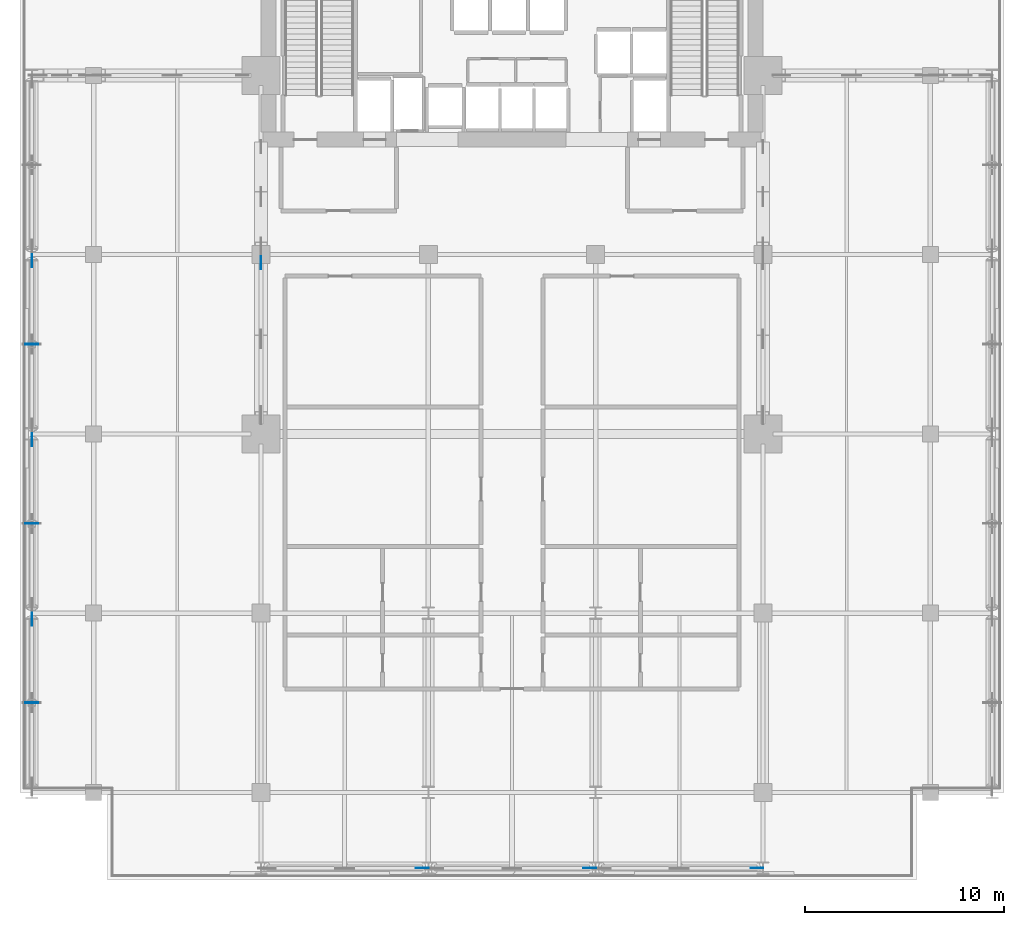
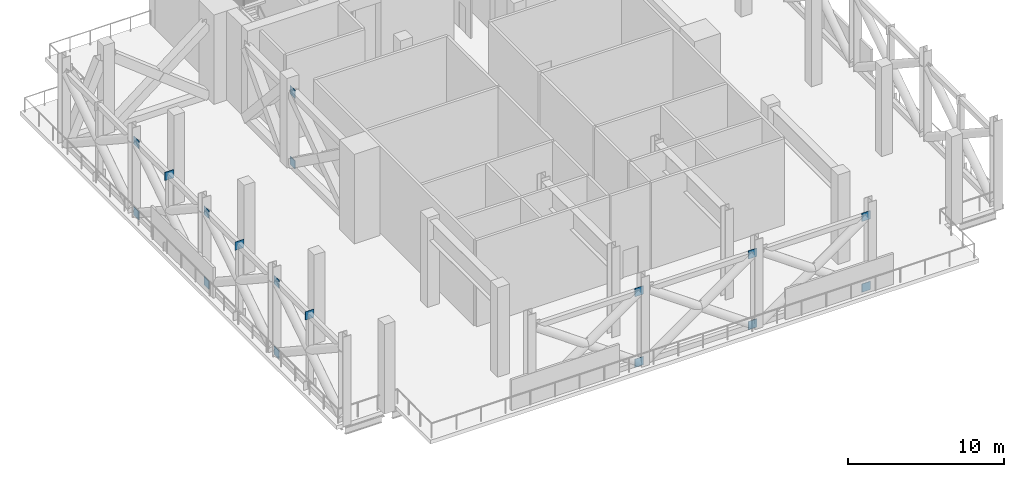
# One storey, part 6 of 14: 17 plates.
"""IFC4 building model written with IfcOpenShell, lengths in metres."""

from ifc_helpers import new_model, si_unit, direction, frame, origin, origin_2d, place, context, subcontext, project, spatial, rectangle, extrude, material, layer, layer_set, type_object, element, save


model = new_model("IFC4")

# Units and contexts
model_context = context("Model", 3, precision=1e-05, world=origin(), true_north=direction((0.0, 1.0)))
body_context = subcontext(model_context, "Body", "Model", "MODEL_VIEW")
ifc_project = project(units=[si_unit("LENGTHUNIT", "METRE"), si_unit("AREAUNIT", "SQUARE_METRE"), si_unit("VOLUMEUNIT", "CUBIC_METRE"), si_unit("PLANEANGLEUNIT", "RADIAN"), si_unit("MASSUNIT", "GRAM", prefix="KILO")], contexts=[model_context])

# Site, building, storey
site_placement = place(None, origin())
site = spatial("IfcSite", under=ifc_project, at=site_placement, CompositionType="ELEMENT")
building_placement = place(site_placement, origin())
building = spatial("IfcBuilding", under=site, at=building_placement, Name="Maruvema Waterfront Hotel and Observation Tower", CompositionType="ELEMENT")
storey_placement = place(building_placement, frame((0.0, 0.0, 227.5)))
storey = spatial("IfcBuildingStorey", under=building, at=storey_placement, Name="L56", CompositionType="ELEMENT", Elevation=227.5)

# Plates
ifc_material = material(Name="Steel ABNT NBR 7007 AR 415 (ASTM A572 Grade 50)", Category="steel")
ifc_layer = layer(ifc_material, 0.034912109375, Name="Hollow Section Sealed End Cap Plate 35 mm")
ifc_layer_set = layer_set([ifc_layer], Name="Steel ABNT NBR 7007 AR 415 (ASTM A572 Grade 50)")
plate_type = type_object("IfcPlateType", Name="Hollow Section Sealed End Cap Plate 35 mm", PredefinedType="USERDEFINED", material=ifc_layer_set)
for number, where, z_axis, x_axis, name in (
    (1, (25.199951171875, 35.60009765625, -0.074951171875), (0.0, 0.0, 1.0), (0.0, 1.0, 0.0), "L56 Outrigger Truss Bottom Chord W1 Node Plate 2"),
    (2, (25.199951171875, 35.60009765625, 5.455078125), (0.0, 0.0, 1.0), (0.0, 1.0, 0.0), "L56 Outrigger Truss Top Chord W1 Node Plate 2"),
    (3, (13.699951171875, 17.699951171875, -0.074951171875), (0.0, 0.0, 1.0), (0.0, 1.0, 0.0), "L56 Perimeter Belt Truss Chord W1 Node Plate 2"),
    (4, (13.699951171875, 17.699951171875, 5.455078125), (0.0, 0.0, 1.0), (0.0, 1.0, 0.0), "L56 Perimeter Belt Truss Top Chord W1 Node Plate 2"),
    (5, (13.699951171875, 13.5, 5.455078125), (0.0, 0.0, 1.0), (1.0, 0.0, 0.0), "L56 Perimeter Belt Truss Post W1 Node Plate 2"),
    (6, (13.699951171875, 26.699951171875, -0.074951171875), (0.0, 0.0, 1.0), (0.0, 1.0, 0.0), "L56 Perimeter Belt Truss Chord W2 Node Plate 2"),
    (7, (13.699951171875, 26.699951171875, 5.455078125), (0.0, 0.0, 1.0), (0.0, 1.0, 0.0), "L56 Perimeter Belt Truss Top Chord W2 Node Plate 2"),
    (8, (13.699951171875, 22.5, 5.455078125), (0.0, 0.0, 1.0), (1.0, 0.0, 0.0), "L56 Perimeter Belt Truss Post W2 Node Plate 2"),
    (9, (13.699951171875, 35.699951171875, -0.074951171875), (0.0, 0.0, 1.0), (0.0, 1.0, 0.0), "L56 Perimeter Belt Truss Chord W3 Node Plate 2"),
    (10, (13.699951171875, 35.699951171875, 5.455078125), (0.0, 0.0, 1.0), (0.0, 1.0, 0.0), "L56 Perimeter Belt Truss Top Chord W3 Node Plate 2"),
    (11, (13.699951171875, 31.5, 5.455078125), (0.0, 0.0, 1.0), (1.0, 0.0, 0.0), "L56 Perimeter Belt Truss Post W3 Node Plate 2"),
    (12, (33.300048828125, 5.199951171875, -0.074951171875), (0.0, 0.0, 1.0), (1.0, 0.0, 0.0), "L56 South Perimeter Belt Truss Chord 1 Node Plate 2"),
    (13, (33.300048828125, 5.199951171875, 5.455078125), (0.0, 0.0, 1.0), (1.0, 0.0, 0.0), "L56 South Perimeter Belt Truss Top Chord 1 Node Plate 2"),
    (14, (41.699951171875, 5.199951171875, -0.074951171875), (0.0, 0.0, 1.0), (1.0, 0.0, 0.0), "L56 South Perimeter Belt Truss Chord 2 Node Plate 2"),
    (15, (41.699951171875, 5.199951171875, 5.455078125), (0.0, 0.0, 1.0), (1.0, 0.0, 0.0), "L56 South Perimeter Belt Truss Top Chord 2 Node Plate 2"),
    (16, (50.10009765625, 5.199951171875, -0.074951171875), (0.0, 0.0, 1.0), (1.0, 0.0, 0.0), "L56 South Perimeter Belt Truss Chord 3 Node Plate 2"),
    (17, (50.10009765625, 5.199951171875, 5.455078125), (0.0, 0.0, 1.0), (1.0, 0.0, 0.0), "L56 South Perimeter Belt Truss Top Chord 3 Node Plate 2"),
):
    element("IfcPlate", number, at=place(storey_placement, frame(where, z_axis=z_axis, x_axis=x_axis)), inside=storey, type_object=plate_type, Name=name, ObjectType="END_CAP_PLATE", PredefinedType="USERDEFINED", context=body_context, shape_type="SweptSolid", body=[
        extrude(rectangle(XDim=0.64990234375, YDim=0.034912109375, at=origin_2d()), origin(), (0.0, 0.0, 1.0), 0.64990234375),
    ])

save(model, "model.ifc")
